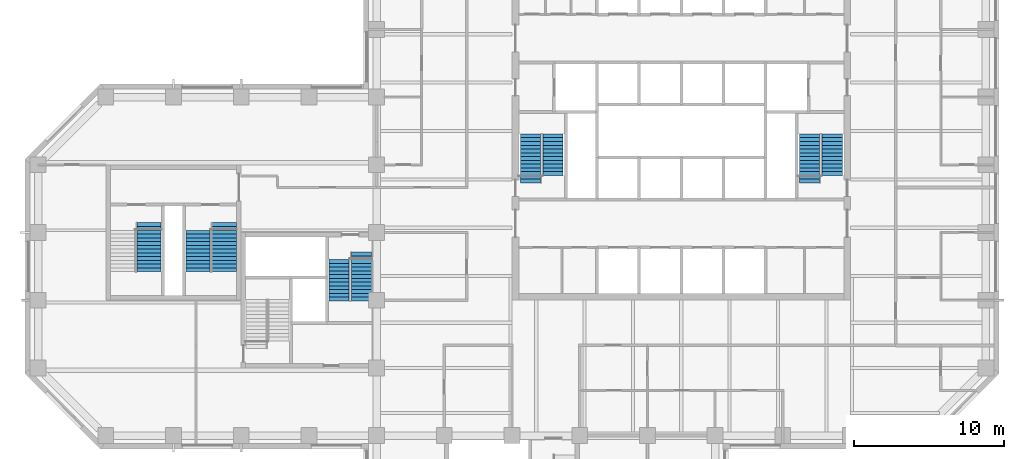
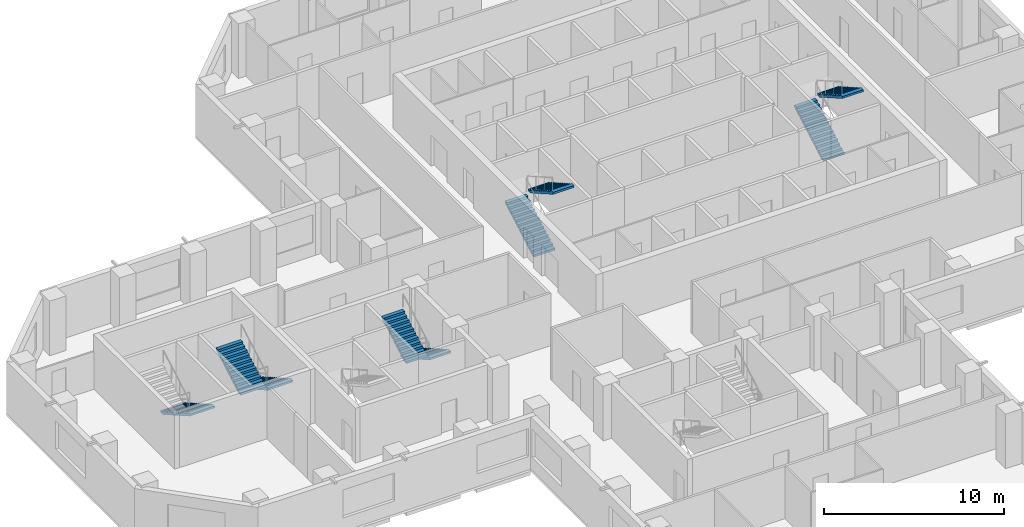
# One storey, part 10 of 11: 9 stair flights, 5 elements without a shape of their own.
"""IFC4 building model written with IfcOpenShell, lengths in metres."""

from ifc_helpers import new_model, si_unit, direction, frame, origin, place, context, subcontext, project, spatial, polyline, outline, extrude, material, type_object, element, aggregate, save


model = new_model("IFC4")

# Units and contexts
model_context = context("Model", 3, precision=1e-05, world=origin(), true_north=direction((0.0, 1.0)))
body_context = subcontext(model_context, "Body", "Model", "MODEL_VIEW")
ifc_project = project(units=[si_unit("LENGTHUNIT", "METRE"), si_unit("AREAUNIT", "SQUARE_METRE"), si_unit("VOLUMEUNIT", "CUBIC_METRE"), si_unit("PLANEANGLEUNIT", "RADIAN"), si_unit("MASSUNIT", "GRAM", prefix="KILO")], contexts=[model_context])

# Site, building, storey
site_placement = place(None, origin())
site = spatial("IfcSite", under=ifc_project, at=site_placement, CompositionType="ELEMENT")
building_placement = place(site_placement, origin())
building = spatial("IfcBuilding", under=site, at=building_placement, Name="Quoin Convention Tower", CompositionType="ELEMENT")
storey_placement = place(building_placement, frame((0.0, 0.0, 108.5)))
storey = spatial("IfcBuildingStorey", under=building, at=storey_placement, Name="L28", CompositionType="ELEMENT", Elevation=108.5)

# Stair, stair flights
ifc_material = material(Name="Concrete C40", Category="concrete")
stair_type_1 = type_object("IfcStairType", Name="Exit stair two-flight 1350", PredefinedType="HALF_TURN_STAIR", material=ifc_material)
stair_1_placement = place(storey_placement, origin())
stair_1 = element("IfcStair", 1, at=stair_1_placement, inside=storey, type_object=stair_type_1, Name="SD1 L28", PredefinedType="HALF_TURN_STAIR")
stair_flight_type_1 = type_object("IfcStairFlightType", Name="Stair flight 1350", PredefinedType="STRAIGHT", material=ifc_material)
stair_flight_1_placement = place(storey_placement, frame((46.22509765625, 57.300048828125, 0.0), z_axis=(0.0, 0.0, 1.0), x_axis=(0.0, 1.0, 0.0)))
stair_flight_1 = element("IfcStairFlight", 2, at=stair_flight_1_placement, type_object=stair_flight_type_1, Name="ST1 flight 1", NumberOfRisers=14, NumberOfTreads=13, PredefinedType="STRAIGHT", RiserHeight=0.142307692, TreadLength=0.25, context=body_context, shape_type="SweptSolid", body=[
    extrude(outline(polyline([(0.0, 0.0), (0.0, 0.142333984375), (0.25, 0.142333984375), (0.25, 0.28466796875), (0.5, 0.28466796875), (0.5, 0.427001953125), (0.75, 0.427001953125), (0.75, 0.5693359375), (1.0, 0.5693359375), (1.0, 0.71142578125), (1.25, 0.71142578125), (1.25, 0.853759765625), (1.5, 0.853759765625), (1.5, 0.99609375), (1.75, 0.99609375), (1.75, 1.138427734375), (2.0, 1.138427734375), (2.0, 1.28076171875), (2.25, 1.28076171875), (2.25, 1.423095703125), (2.5, 1.423095703125), (2.5, 1.5654296875), (2.75, 1.5654296875), (2.75, 1.707763671875), (3.0, 1.707763671875), (3.0, 1.85009765625), (3.25, 1.85009765625), (3.25, 1.9921875), (3.25, 1.711669921875), (0.242919921875, 0.0), (0.0, 0.0)])), frame((0.0, 0.675048828125, 0.0), z_axis=(0.0, -1.0, 0.0), x_axis=(1.0, 0.0, 0.0)), (0.0, 0.0, 1.0), 1.35009765625),
])
stair_flight_2_placement = place(storey_placement, frame((47.72509765625, 60.550048828125, 1.9921875), z_axis=(0.0, 0.0, 1.0), x_axis=(0.0, -1.0, 0.0)))
stair_flight_2 = element("IfcStairFlight", 3, at=stair_flight_2_placement, type_object=stair_flight_type_1, Name="ST1 flight 2", NumberOfRisers=12, NumberOfTreads=11, PredefinedType="STRAIGHT", RiserHeight=0.142307692, TreadLength=0.25, context=body_context, shape_type="SweptSolid", body=[
    extrude(outline(polyline([(0.0, 0.0), (0.0, 0.142333984375), (0.25, 0.142333984375), (0.25, 0.28466796875), (0.5, 0.28466796875), (0.5, 0.427001953125), (0.75, 0.427001953125), (0.75, 0.5693359375), (1.0, 0.5693359375), (1.0, 0.71142578125), (1.25, 0.71142578125), (1.25, 0.853759765625), (1.5, 0.853759765625), (1.5, 0.99609375), (1.75, 0.99609375), (1.75, 1.138427734375), (2.0, 1.138427734375), (2.0, 1.28076171875), (2.25, 1.28076171875), (2.25, 1.423095703125), (2.5, 1.423095703125), (2.5, 1.5654296875), (2.75, 1.5654296875), (2.75, 1.707763671875), (2.75, 1.42724609375), (0.242919921875, 0.0), (0.0, 0.0)])), frame((0.0, 0.675048828125, 0.0), z_axis=(0.0, -1.0, 0.0), x_axis=(1.0, 0.0, 0.0)), (0.0, 0.0, 1.0), 1.35009765625),
])
aggregate(stair_1, [stair_flight_1, stair_flight_2])

stair_2_placement = place(storey_placement, origin())
stair_2 = element("IfcStair", 4, at=stair_2_placement, inside=storey, type_object=stair_type_1, Name="SD2 L28", PredefinedType="HALF_TURN_STAIR")
stair_flight_3_placement = place(storey_placement, frame((64.77490234375, 57.300048828125, 0.0), z_axis=(0.0, 0.0, 1.0), x_axis=(0.0, 1.0, 0.0)))
stair_flight_3 = element("IfcStairFlight", 5, at=stair_flight_3_placement, type_object=stair_flight_type_1, Name="ST2 flight 1", NumberOfRisers=14, NumberOfTreads=13, PredefinedType="STRAIGHT", RiserHeight=0.142307692, TreadLength=0.25, context=body_context, shape_type="SweptSolid", body=[
    extrude(outline(polyline([(0.0, 0.0), (0.0, 0.142333984375), (0.25, 0.142333984375), (0.25, 0.28466796875), (0.5, 0.28466796875), (0.5, 0.427001953125), (0.75, 0.427001953125), (0.75, 0.5693359375), (1.0, 0.5693359375), (1.0, 0.71142578125), (1.25, 0.71142578125), (1.25, 0.853759765625), (1.5, 0.853759765625), (1.5, 0.99609375), (1.75, 0.99609375), (1.75, 1.138427734375), (2.0, 1.138427734375), (2.0, 1.28076171875), (2.25, 1.28076171875), (2.25, 1.423095703125), (2.5, 1.423095703125), (2.5, 1.5654296875), (2.75, 1.5654296875), (2.75, 1.707763671875), (3.0, 1.707763671875), (3.0, 1.85009765625), (3.25, 1.85009765625), (3.25, 1.9921875), (3.25, 1.711669921875), (0.242919921875, 0.0), (0.0, 0.0)])), frame((0.0, 0.675048828125, 0.0), z_axis=(0.0, -1.0, 0.0), x_axis=(1.0, 0.0, 0.0)), (0.0, 0.0, 1.0), 1.35009765625),
])
stair_flight_4_placement = place(storey_placement, frame((66.27490234375, 60.550048828125, 1.9921875), z_axis=(0.0, 0.0, 1.0), x_axis=(0.0, -1.0, 0.0)))
stair_flight_4 = element("IfcStairFlight", 6, at=stair_flight_4_placement, type_object=stair_flight_type_1, Name="ST2 flight 2", NumberOfRisers=12, NumberOfTreads=11, PredefinedType="STRAIGHT", RiserHeight=0.142307692, TreadLength=0.25, context=body_context, shape_type="SweptSolid", body=[
    extrude(outline(polyline([(0.0, 0.0), (0.0, 0.142333984375), (0.25, 0.142333984375), (0.25, 0.28466796875), (0.5, 0.28466796875), (0.5, 0.427001953125), (0.75, 0.427001953125), (0.75, 0.5693359375), (1.0, 0.5693359375), (1.0, 0.71142578125), (1.25, 0.71142578125), (1.25, 0.853759765625), (1.5, 0.853759765625), (1.5, 0.99609375), (1.75, 0.99609375), (1.75, 1.138427734375), (2.0, 1.138427734375), (2.0, 1.28076171875), (2.25, 1.28076171875), (2.25, 1.423095703125), (2.5, 1.423095703125), (2.5, 1.5654296875), (2.75, 1.5654296875), (2.75, 1.707763671875), (2.75, 1.42724609375), (0.242919921875, 0.0), (0.0, 0.0)])), frame((0.0, 0.675048828125, 0.0), z_axis=(0.0, -1.0, 0.0), x_axis=(1.0, 0.0, 0.0)), (0.0, 0.0, 1.0), 1.35009765625),
])
aggregate(stair_2, [stair_flight_3, stair_flight_4])

stair_3_placement = place(storey_placement, origin())
stair_3 = element("IfcStair", 7, at=stair_3_placement, inside=storey, type_object=stair_type_1, Name="SD4 L28", PredefinedType="HALF_TURN_STAIR")
stair_flight_5_placement = place(storey_placement, frame((35.0, 52.699951171875, 0.0), z_axis=(0.0, 0.0, 1.0), x_axis=(0.0, -1.0, 0.0)))
stair_flight_5 = element("IfcStairFlight", 8, at=stair_flight_5_placement, type_object=stair_flight_type_1, Name="ST4 flight 1", NumberOfRisers=14, NumberOfTreads=13, PredefinedType="STRAIGHT", RiserHeight=0.142307692, TreadLength=0.25, context=body_context, shape_type="SweptSolid", body=[
    extrude(outline(polyline([(0.0, 0.0), (0.0, 0.142333984375), (0.25, 0.142333984375), (0.25, 0.28466796875), (0.5, 0.28466796875), (0.5, 0.427001953125), (0.75, 0.427001953125), (0.75, 0.5693359375), (1.0, 0.5693359375), (1.0, 0.71142578125), (1.25, 0.71142578125), (1.25, 0.853759765625), (1.5, 0.853759765625), (1.5, 0.99609375), (1.75, 0.99609375), (1.75, 1.138427734375), (2.0, 1.138427734375), (2.0, 1.28076171875), (2.25, 1.28076171875), (2.25, 1.423095703125), (2.5, 1.423095703125), (2.5, 1.5654296875), (2.75, 1.5654296875), (2.75, 1.707763671875), (3.0, 1.707763671875), (3.0, 1.85009765625), (3.25, 1.85009765625), (3.25, 1.9921875), (3.25, 1.711669921875), (0.242919921875, 0.0), (0.0, 0.0)])), frame((0.0, 0.675048828125, 0.0), z_axis=(0.0, -1.0, 0.0), x_axis=(1.0, 0.0, 0.0)), (0.0, 0.0, 1.0), 1.35009765625),
])
stair_flight_6_placement = place(storey_placement, frame((33.5, 49.449951171875, 1.9921875), z_axis=(0.0, 0.0, 1.0), x_axis=(0.0, 1.0, 0.0)))
stair_flight_6 = element("IfcStairFlight", 9, at=stair_flight_6_placement, type_object=stair_flight_type_1, Name="ST4 flight 2", NumberOfRisers=12, NumberOfTreads=11, PredefinedType="STRAIGHT", RiserHeight=0.142307692, TreadLength=0.25, context=body_context, shape_type="SweptSolid", body=[
    extrude(outline(polyline([(0.0, 0.0), (0.0, 0.142333984375), (0.25, 0.142333984375), (0.25, 0.28466796875), (0.5, 0.28466796875), (0.5, 0.427001953125), (0.75, 0.427001953125), (0.75, 0.5693359375), (1.0, 0.5693359375), (1.0, 0.71142578125), (1.25, 0.71142578125), (1.25, 0.853759765625), (1.5, 0.853759765625), (1.5, 0.99609375), (1.75, 0.99609375), (1.75, 1.138427734375), (2.0, 1.138427734375), (2.0, 1.28076171875), (2.25, 1.28076171875), (2.25, 1.423095703125), (2.5, 1.423095703125), (2.5, 1.5654296875), (2.75, 1.5654296875), (2.75, 1.707763671875), (2.75, 1.42724609375), (0.242919921875, 0.0), (0.0, 0.0)])), frame((0.0, 0.675048828125, 0.0), z_axis=(0.0, -1.0, 0.0), x_axis=(1.0, 0.0, 0.0)), (0.0, 0.0, 1.0), 1.35009765625),
])
aggregate(stair_3, [stair_flight_5, stair_flight_6])

# Stair, stair flight
stair_type_2 = type_object("IfcStairType", Name="Exit stair two-flight 1600", PredefinedType="HALF_TURN_STAIR", material=ifc_material)
stair_4_placement = place(storey_placement, origin())
stair_4 = element("IfcStair", 10, at=stair_4_placement, inside=storey, type_object=stair_type_2, Name="SD11 L28", PredefinedType="HALF_TURN_STAIR")
stair_flight_type_2 = type_object("IfcStairFlightType", Name="Stair flight 1600", PredefinedType="STRAIGHT", material=ifc_material)
stair_flight_7_placement = place(storey_placement, frame((20.875, 54.64990234375, 0.0), z_axis=(0.0, 0.0, 1.0), x_axis=(0.0, -1.0, 0.0)))
stair_flight_7 = element("IfcStairFlight", 11, at=stair_flight_7_placement, type_object=stair_flight_type_2, Name="ST11 flight 1", NumberOfRisers=14, NumberOfTreads=13, PredefinedType="STRAIGHT", RiserHeight=0.142307692, TreadLength=0.25, context=body_context, shape_type="SweptSolid", body=[
    extrude(outline(polyline([(0.0, 0.0), (0.0, 0.142333984375), (0.25, 0.142333984375), (0.25, 0.28466796875), (0.5, 0.28466796875), (0.5, 0.427001953125), (0.75, 0.427001953125), (0.75, 0.5693359375), (1.0, 0.5693359375), (1.0, 0.71142578125), (1.25, 0.71142578125), (1.25, 0.853759765625), (1.5, 0.853759765625), (1.5, 0.99609375), (1.75, 0.99609375), (1.75, 1.138427734375), (2.0, 1.138427734375), (2.0, 1.28076171875), (2.25, 1.28076171875), (2.25, 1.423095703125), (2.5, 1.423095703125), (2.5, 1.5654296875), (2.75, 1.5654296875), (2.75, 1.707763671875), (3.0, 1.707763671875), (3.0, 1.85009765625), (3.25, 1.85009765625), (3.25, 1.9921875), (3.25, 1.711669921875), (0.242919921875, 0.0), (0.0, 0.0)])), frame((0.0, 0.800048828125, 0.0), z_axis=(0.0, -1.0, 0.0), x_axis=(1.0, 0.0, 0.0)), (0.0, 0.0, 1.0), 1.60009765625),
])
aggregate(stair_4, [stair_flight_7])

# Stair, stair flights
stair_5_placement = place(storey_placement, origin())
stair_5 = element("IfcStair", 12, at=stair_5_placement, inside=storey, type_object=stair_type_2, Name="SD12 L28", PredefinedType="HALF_TURN_STAIR")
stair_flight_8_placement = place(storey_placement, frame((25.875, 54.64990234375, 0.0), z_axis=(0.0, 0.0, 1.0), x_axis=(0.0, -1.0, 0.0)))
stair_flight_8 = element("IfcStairFlight", 13, at=stair_flight_8_placement, type_object=stair_flight_type_2, Name="ST12 flight 1", NumberOfRisers=14, NumberOfTreads=13, PredefinedType="STRAIGHT", RiserHeight=0.142307692, TreadLength=0.25, context=body_context, shape_type="SweptSolid", body=[
    extrude(outline(polyline([(0.0, 0.0), (0.0, 0.142333984375), (0.25, 0.142333984375), (0.25, 0.28466796875), (0.5, 0.28466796875), (0.5, 0.427001953125), (0.75, 0.427001953125), (0.75, 0.5693359375), (1.0, 0.5693359375), (1.0, 0.71142578125), (1.25, 0.71142578125), (1.25, 0.853759765625), (1.5, 0.853759765625), (1.5, 0.99609375), (1.75, 0.99609375), (1.75, 1.138427734375), (2.0, 1.138427734375), (2.0, 1.28076171875), (2.25, 1.28076171875), (2.25, 1.423095703125), (2.5, 1.423095703125), (2.5, 1.5654296875), (2.75, 1.5654296875), (2.75, 1.707763671875), (3.0, 1.707763671875), (3.0, 1.85009765625), (3.25, 1.85009765625), (3.25, 1.9921875), (3.25, 1.711669921875), (0.242919921875, 0.0), (0.0, 0.0)])), frame((0.0, 0.800048828125, 0.0), z_axis=(0.0, -1.0, 0.0), x_axis=(1.0, 0.0, 0.0)), (0.0, 0.0, 1.0), 1.60009765625),
])
stair_flight_9_placement = place(storey_placement, frame((24.125, 51.39990234375, 1.9921875), z_axis=(0.0, 0.0, 1.0), x_axis=(0.0, 1.0, 0.0)))
stair_flight_9 = element("IfcStairFlight", 14, at=stair_flight_9_placement, type_object=stair_flight_type_2, Name="ST12 flight 2", NumberOfRisers=12, NumberOfTreads=11, PredefinedType="STRAIGHT", RiserHeight=0.142307692, TreadLength=0.25, context=body_context, shape_type="SweptSolid", body=[
    extrude(outline(polyline([(0.0, 0.0), (0.0, 0.142333984375), (0.25, 0.142333984375), (0.25, 0.28466796875), (0.5, 0.28466796875), (0.5, 0.427001953125), (0.75, 0.427001953125), (0.75, 0.5693359375), (1.0, 0.5693359375), (1.0, 0.71142578125), (1.25, 0.71142578125), (1.25, 0.853759765625), (1.5, 0.853759765625), (1.5, 0.99609375), (1.75, 0.99609375), (1.75, 1.138427734375), (2.0, 1.138427734375), (2.0, 1.28076171875), (2.25, 1.28076171875), (2.25, 1.423095703125), (2.5, 1.423095703125), (2.5, 1.5654296875), (2.75, 1.5654296875), (2.75, 1.707763671875), (2.75, 1.42724609375), (0.242919921875, 0.0), (0.0, 0.0)])), frame((0.0, 0.800048828125, 0.0), z_axis=(0.0, -1.0, 0.0), x_axis=(1.0, 0.0, 0.0)), (0.0, 0.0, 1.0), 1.60009765625),
])
aggregate(stair_5, [stair_flight_8, stair_flight_9])

save(model, "model.ifc")
